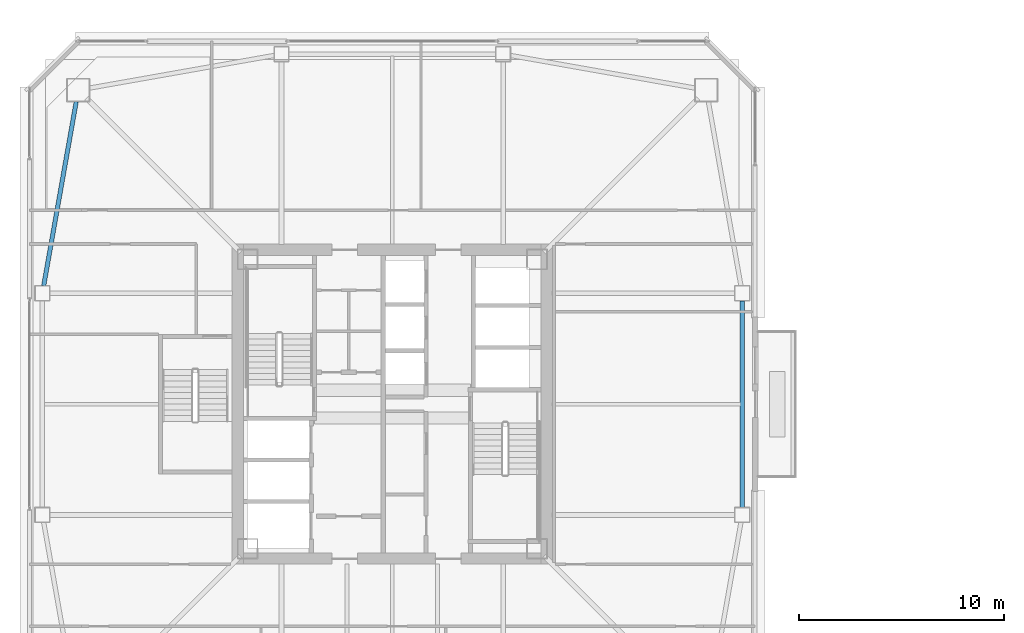
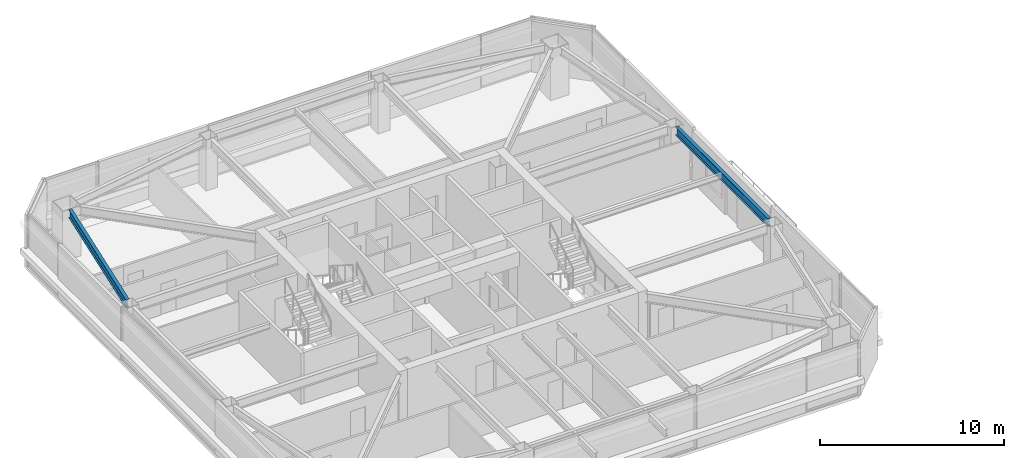
# One storey, part 10 of 41: 2 beams.
"""IFC4 building model written with IfcOpenShell, lengths in metres."""

import ifcopenshell
import ifcopenshell.guid

model = None  # the IFC model being written
_history = None  # IfcOwnerHistory: only IFC2X3 demands one
_inside = {}  # id of a spatial element -> (the spatial element, [elements in it])
_under = {}  # id of a project, library or spatial element -> (it, [spatial elements below it])
_declared = {}  # id of a project -> (the project, [libraries it declares])
_typed = {}  # id of a type object -> (the type object, [elements of that type])
_made_of = {}  # id of a material, layer set ... -> (it, [elements and type objects made of it])


def new_model(schema):
    """Start an empty IFC model of exactly this schema.

    Asked for "IFC4X3", IfcOpenShell would pick the latest addendum, in which some entities
    have other attributes; the version numbers below select the first issue.
    IFC2X3 requires an IfcOwnerHistory on every rooted entity: one is made here for all.
    """
    global model, _history
    if schema == "IFC4X3":
        model = ifcopenshell.file(schema_version=(4, 3, 0, 0))
    else:
        model = ifcopenshell.file(schema=schema)
    _inside.clear()
    _under.clear()
    _declared.clear()
    _typed.clear()
    _made_of.clear()
    _history = None
    if model.schema == "IFC2X3":
        org = make("IfcOrganization", Name="unknown")
        user = make(
            "IfcPersonAndOrganization",
            ThePerson=make("IfcPerson", FamilyName="unknown"),
            TheOrganization=org,
        )
        app = make(
            "IfcApplication",
            ApplicationDeveloper=org,
            Version="unknown",
            ApplicationFullName="unknown",
            ApplicationIdentifier="unknown",
        )
        _history = make(
            "IfcOwnerHistory",
            OwningUser=user,
            OwningApplication=app,
            ChangeAction="ADDED",
            CreationDate=0,
        )
    return model


def make(cls, **values):
    """One entity of the class cls with the attributes given. An attribute that is None is left unset."""
    return model.create_entity(
        cls, **{name: value for name, value in values.items() if value is not None}
    )


def rooted(cls, **values):
    """An entity with a GlobalId (a new one), such as an element, a storey or a relation."""
    return make(cls, GlobalId=ifcopenshell.guid.new(), OwnerHistory=_history, **values)


def si_unit(unit_type, name, prefix=None):
    """IfcSIUnit, for example si_unit("LENGTHUNIT", "METRE", prefix="MILLI")."""
    return make("IfcSIUnit", UnitType=unit_type, Prefix=prefix, Name=name)


def assignment(units):
    """IfcUnitAssignment: the units of a project."""
    return None if units is None else make("IfcUnitAssignment", Units=units)


def point(xyz):
    """IfcCartesianPoint."""
    return None if xyz is None else make("IfcCartesianPoint", Coordinates=xyz)


def direction(xyz):
    """IfcDirection."""
    return None if xyz is None else make("IfcDirection", DirectionRatios=xyz)


def frame(location, z_axis=None, x_axis=None):
    """IfcAxis2Placement3D, a coordinate frame: its origin and axes. An axis left out is left unset."""
    return make(
        "IfcAxis2Placement3D",
        Location=point(location),
        Axis=direction(z_axis),
        RefDirection=direction(x_axis),
    )


def frame_2d(location, x_axis=None):
    """IfcAxis2Placement2D, a coordinate frame in the plane: its origin and x axis."""
    return make(
        "IfcAxis2Placement2D", Location=point(location), RefDirection=direction(x_axis)
    )


def origin():
    """The frame at (0, 0, 0) with its axes left unset."""
    return frame((0.0, 0.0, 0.0))


def origin_2d():
    """The frame at (0, 0) in the plane with its x axis left unset."""
    return frame_2d((0.0, 0.0))


def place(relative_to, where):
    """IfcLocalPlacement: puts the frame where relative to a parent placement (None: the world)."""
    return make(
        "IfcLocalPlacement", PlacementRelTo=relative_to, RelativePlacement=where
    )


def context(
    kind, dimensions, precision=None, world=None, true_north=None, identifier=None
):
    """IfcGeometricRepresentationContext, for example the 3D "Model" context."""
    return make(
        "IfcGeometricRepresentationContext",
        ContextIdentifier=identifier,
        ContextType=kind,
        CoordinateSpaceDimension=dimensions,
        Precision=precision,
        WorldCoordinateSystem=world,
        TrueNorth=true_north,
    )


def subcontext(parent, identifier, kind, view, scale=None):
    """IfcGeometricRepresentationSubContext, for example "Body" below "Model"."""
    return make(
        "IfcGeometricRepresentationSubContext",
        ContextIdentifier=identifier,
        ContextType=kind,
        ParentContext=parent,
        TargetScale=scale,
        TargetView=view,
    )


def project(units=None, contexts=None):
    """IfcProject with its units and contexts."""
    return rooted(
        "IfcProject",
        Name="project",
        RepresentationContexts=contexts,
        UnitsInContext=assignment(units),
    )


def spatial(cls, under=None, at=None, **own):
    """A site, building, storey or space (cls), placed at a placement, below another one or the project."""
    s = rooted(cls, ObjectPlacement=at, **own)
    if under is not None:
        _under.setdefault(under.id(), (under, []))[1].append(s)
    return s


def profile(cls, at=None, kind="AREA", **sizes):
    """A parametric profile (cls). Its sizes go by their IFC names, for example OverallWidth=200.0."""
    return make(cls, ProfileType=kind, Position=at, **sizes)


def i_section(**sizes):
    """IfcIShapeProfileDef."""
    return profile("IfcIShapeProfileDef", **sizes)


def extrude(swept, where, along, depth):
    """IfcExtrudedAreaSolid: the profile swept, set in the frame where, extruded along a direction by depth."""
    return make(
        "IfcExtrudedAreaSolid",
        SweptArea=swept,
        Position=where,
        ExtrudedDirection=direction(along),
        Depth=depth,
    )


def shape(context_of_items, identifier, shape_type, items):
    """IfcShapeRepresentation: the items that make up one representation, for example the "Body"."""
    return make(
        "IfcShapeRepresentation",
        ContextOfItems=context_of_items,
        RepresentationIdentifier=identifier,
        RepresentationType=shape_type,
        Items=items,
    )


def material(Name=None, Category=None):
    """IfcMaterial."""
    return make("IfcMaterial", Name=Name, Category=Category)


def material_profile(
    of_material, cross_section, Name=None, Category=None, Priority=None
):
    """IfcMaterialProfile: a cross section and its material."""
    return make(
        "IfcMaterialProfile",
        Name=Name,
        Material=of_material,
        Profile=cross_section,
        Priority=Priority,
        Category=Category,
    )


def profile_set(profiles, Name=None, composite=None):
    """IfcMaterialProfileSet."""
    return make(
        "IfcMaterialProfileSet",
        Name=Name,
        MaterialProfiles=profiles,
        CompositeProfile=composite,
    )


def made_of(thing, what):
    """Note that an element or type object is made of a material, layer set ...; save() writes the relation."""
    if what is not None:
        _made_of.setdefault(what.id(), (what, []))[1].append(thing)
    return thing


def type_object(cls, material=None, **own):
    """A type object (cls), such as IfcWallType, which elements share."""
    return made_of(rooted(cls, **own), material)


def element(
    cls,
    number,
    at=None,
    inside=None,
    cuts=None,
    type_object=None,
    material=None,
    context=None,
    identifier="Body",
    shape_type=None,
    held_by="IfcProductDefinitionShape",
    body=None,
    shapes=None,
    **own,
):
    """One element of the class cls, such as IfcWall. Its Tag is "e" and its number.

    at: its placement. inside: the storey or other place that contains it. cuts: it is an
    opening in that element (IfcRelVoidsElement). A single representation is given by context,
    identifier, shape_type and body (its items); several are given by shapes. held_by: the class
    of the entity that holds the representations. save() writes the other relations.
    """
    e = rooted(cls, Tag="e%d" % number, ObjectPlacement=at, **own)
    if body is not None:
        shapes = [shape(context, identifier, shape_type, body)]
    if shapes is not None:
        e.Representation = make(held_by, Representations=shapes)
    if inside is not None:
        _inside.setdefault(inside.id(), (inside, []))[1].append(e)
    if cuts is not None:
        rooted(
            "IfcRelVoidsElement", RelatingBuildingElement=cuts, RelatedOpeningElement=e
        )
    if type_object is not None:
        _typed.setdefault(type_object.id(), (type_object, []))[1].append(e)
    return made_of(e, material)


def aggregate(whole, parts):
    """IfcRelAggregates: a whole, such as a stair, and the parts it consists of."""
    return rooted("IfcRelAggregates", RelatingObject=whole, RelatedObjects=parts)


def save(model, path):
    """Write the relations noted so far, then the file.

    IfcRelAggregates (storeys below a building ...), IfcRelContainedInSpatialStructure (elements
    in a storey), IfcRelDefinesByType, IfcRelAssociatesMaterial and IfcRelDeclares: one each for
    every whole, place, type object, material and project.
    """
    for whole, parts in _under.values():
        aggregate(whole, parts)
    for where, things in _inside.values():
        rooted(
            "IfcRelContainedInSpatialStructure",
            RelatedElements=things,
            RelatingStructure=where,
        )
    for kind, things in _typed.values():
        rooted("IfcRelDefinesByType", RelatedObjects=things, RelatingType=kind)
    for what, things in _made_of.values():
        rooted("IfcRelAssociatesMaterial", RelatedObjects=things, RelatingMaterial=what)
    for by, libraries in _declared.values():
        rooted("IfcRelDeclares", RelatingContext=by, RelatedDefinitions=libraries)
    model.write(path)


model = new_model("IFC4")

# Units and contexts
model_context = context("Model", 3, precision=1e-05, world=origin(), true_north=direction((0.0, 1.0)))
body_context = subcontext(model_context, "Body", "Model", "MODEL_VIEW")
ifc_project = project(units=[si_unit("LENGTHUNIT", "METRE"), si_unit("AREAUNIT", "SQUARE_METRE"), si_unit("VOLUMEUNIT", "CUBIC_METRE"), si_unit("PLANEANGLEUNIT", "RADIAN"), si_unit("MASSUNIT", "GRAM", prefix="KILO")], contexts=[model_context])

# Site, building, storey
site_placement = place(None, origin())
site = spatial("IfcSite", under=ifc_project, at=site_placement, CompositionType="ELEMENT")
building_placement = place(site_placement, origin())
building = spatial("IfcBuilding", under=site, at=building_placement, Name="Tashvorn Skyway Center", CompositionType="ELEMENT")
storey_placement = place(building_placement, frame((0.0, 0.0, 174.75)))
storey = spatial("IfcBuildingStorey", under=building, at=storey_placement, Name="L47", CompositionType="ELEMENT", Elevation=174.75)

# Beams
ifc_material = material(Name="Steel ASTM A992 Grade 50", Category="steel")
ifc_material_profile = material_profile(ifc_material, i_section(OverallWidth=0.2109375, OverallDepth=0.5390625, WebThickness=0.01171875, FlangeThickness=0.018798828125, at=origin_2d()), Name="W21X73")
ifc_profile_set = profile_set([ifc_material_profile], Name="Steel ASTM A992 Grade 50")
beam_type = type_object("IfcBeamType", Name="BM-SPANDREL-W21X73", PredefinedType="SPANDREL", material=ifc_profile_set)
beam_1_placement = place(storey_placement, frame((59.050048828125, 26.969970703125, 3.1005859375), z_axis=(0.0, 1.0, 0.0), x_axis=(-1.0, 0.0, 0.0)))
element("IfcBeam", 1, at=beam_1_placement, inside=storey, type_object=beam_type, Name="Tower 1 L47 Spandrel Beam 05", PredefinedType="SPANDREL", context=body_context, shape_type="SweptSolid", body=[
    extrude(i_section(OverallWidth=0.2109375, OverallDepth=0.5390625, WebThickness=0.01171875, FlangeThickness=0.018798828125, at=origin_2d()), origin(), (0.0, 0.0, 1.0), 10.06005859375),
])
beam_2_placement = place(storey_placement, frame((26.600830078125, 46.73876953125, 3.1005859375), z_axis=(-0.174074160933, -0.984732545667, 0.0), x_axis=(0.984732545667, -0.174074160933, 0.0)))
element("IfcBeam", 2, at=beam_2_placement, inside=storey, type_object=beam_type, Name="Tower 1 L47 Spandrel Beam 10", PredefinedType="SPANDREL", context=body_context, shape_type="SweptSolid", body=[
    extrude(i_section(OverallWidth=0.2109375, OverallDepth=0.5390625, WebThickness=0.01171875, FlangeThickness=0.018798828125, at=origin_2d()), origin(), (0.0, 0.0, 1.0), 9.113525390625),
])

save(model, "model.ifc")
